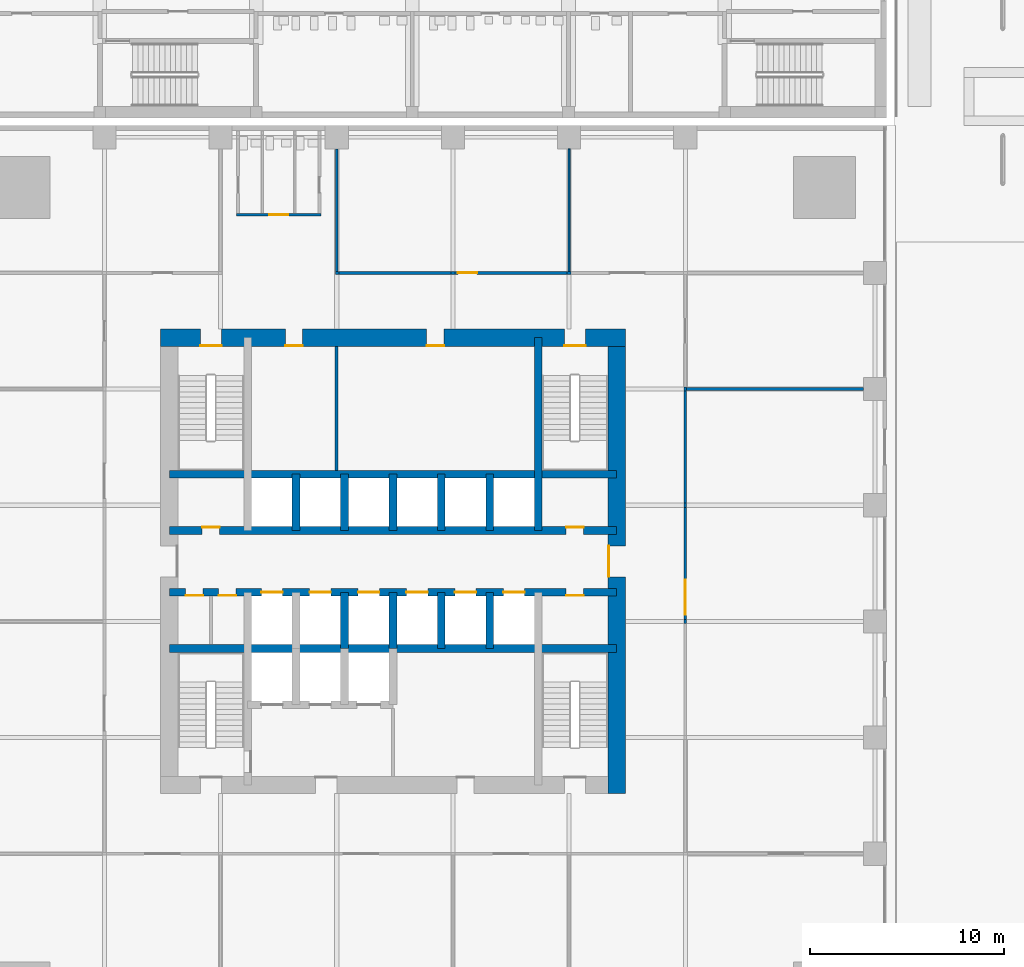
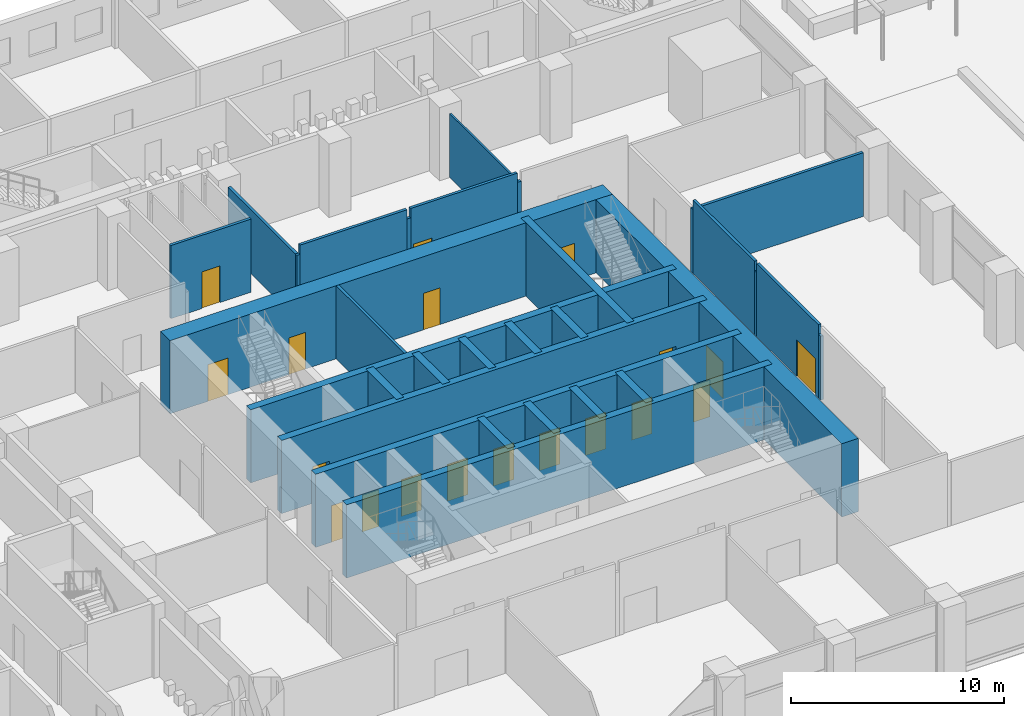
# One storey, part 22 of 34: 31 walls, 19 doors, 19 openings.
"""IFC4 building model written with IfcOpenShell, lengths in metres."""

from ifc_helpers import new_model, si_unit, direction, frame, frame_2d, origin, place, context, subcontext, project, spatial, rectangle, extrude, material, layer, layer_set, type_object, element, fill, save


model = new_model("IFC4")

# Units and contexts
model_context = context("Model", 3, precision=1e-05, world=origin(), true_north=direction((0.0, 1.0)))
body_context = subcontext(model_context, "Body", "Model", "MODEL_VIEW")
ifc_project = project(units=[si_unit("LENGTHUNIT", "METRE"), si_unit("AREAUNIT", "SQUARE_METRE"), si_unit("VOLUMEUNIT", "CUBIC_METRE"), si_unit("PLANEANGLEUNIT", "RADIAN"), si_unit("MASSUNIT", "GRAM", prefix="KILO")], contexts=[model_context])

# Site, building, storey
site_placement = place(None, origin())
site = spatial("IfcSite", under=ifc_project, at=site_placement, CompositionType="ELEMENT")
building_placement = place(site_placement, origin())
building = spatial("IfcBuilding", under=site, at=building_placement, Name="Amberfall Residences", CompositionType="ELEMENT")
storey_placement = place(building_placement, frame((0.0, 0.0, 5.5)))
storey = spatial("IfcBuildingStorey", under=building, at=storey_placement, Name="L01", CompositionType="ELEMENT", Elevation=5.5)

# Wall
ifc_material_1 = material(Name="Concrete C80", Category="concrete")
ifc_layer_1 = layer(ifc_material_1, 0.39990234375)
ifc_layer_set_1 = layer_set([ifc_layer_1], Name="Core wall 400 C80")
wall_type_1 = type_object("IfcWallType", Name="Core wall 400 C80", PredefinedType="SHEAR", material=ifc_layer_set_1)
wall_1_placement = place(storey_placement, frame((62.949951171875, 41.0, 0.0), z_axis=(0.0, 0.0, 1.0), x_axis=(1.0, 0.0, 0.0)))
element("IfcWall", 1, at=wall_1_placement, inside=storey, type_object=wall_type_1, Name="Core wall RW2 L01 H75", PredefinedType="SHEAR", context=body_context, shape_type="SweptSolid", body=[
    extrude(rectangle(XDim=23.10009765625, YDim=0.39990234375, at=frame_2d((11.550048828125, 0.0))), origin(), (0.0, 0.0, 1.0), 4.199951171875),
])

# Wall, openings, doors
wall_2_placement = place(storey_placement, frame((62.949951171875, 43.89990234375, 0.0), z_axis=(0.0, 0.0, 1.0), x_axis=(1.0, 0.0, 0.0)))
wall_2 = element("IfcWall", 2, at=wall_2_placement, inside=storey, type_object=wall_type_1, Name="Core wall RW2 L01 H104", PredefinedType="SHEAR", context=body_context, shape_type="SweptSolid", body=[
    extrude(rectangle(XDim=23.10009765625, YDim=0.39990234375, at=frame_2d((11.550048828125, 0.0))), origin(), (0.0, 0.0, 1.0), 4.199951171875),
])
opening_1_placement = place(wall_2_placement, frame((0.85009765625, 0.0, 0.0)))
opening_1 = element("IfcOpeningElement", 3, at=opening_1_placement, cuts=wall_2, Name="Opening RD1", PredefinedType="OPENING", context=body_context, shape_type="SweptSolid", body=[
    extrude(rectangle(XDim=0.89990234375, YDim=2.10009765625, at=frame_2d((0.449951171875, 1.050048828125))), frame((0.0, 0.2099609375, 0.0), z_axis=(0.0, -1.0, 0.0), x_axis=(1.0, 0.0, 0.0)), (0.0, 0.0, 1.0), 0.419921875),
])
opening_2_placement = place(wall_2_placement, frame((2.550048828125, 0.0, 0.0)))
opening_2 = element("IfcOpeningElement", 4, at=opening_2_placement, cuts=wall_2, Name="Opening RD1", PredefinedType="OPENING", context=body_context, shape_type="SweptSolid", body=[
    extrude(rectangle(XDim=0.89990234375, YDim=2.10009765625, at=frame_2d((0.449951171875, 1.050048828125))), frame((0.0, 0.2099609375, 0.0), z_axis=(0.0, -1.0, 0.0), x_axis=(1.0, 0.0, 0.0)), (0.0, 0.0, 1.0), 0.419921875),
])
opening_3_placement = place(wall_2_placement, frame((20.5, 0.0, 0.0)))
opening_3 = element("IfcOpeningElement", 5, at=opening_3_placement, cuts=wall_2, Name="Opening RD1", PredefinedType="OPENING", context=body_context, shape_type="SweptSolid", body=[
    extrude(rectangle(XDim=0.89990234375, YDim=2.10009765625, at=frame_2d((0.449951171875, 1.050048828125))), frame((0.0, 0.2099609375, 0.0), z_axis=(0.0, -1.0, 0.0), x_axis=(1.0, 0.0, 0.0)), (0.0, 0.0, 1.0), 0.419921875),
])
opening_4_placement = place(wall_2_placement, frame((4.75, 0.0, 0.0)))
opening_4 = element("IfcOpeningElement", 6, at=opening_4_placement, cuts=wall_2, Name="Opening LD1", PredefinedType="OPENING", context=body_context, shape_type="SweptSolid", body=[
    extrude(rectangle(XDim=1.10009765625, YDim=2.10009765625, at=frame_2d((0.550048828125, 1.050048828125))), frame((0.0, 0.2099609375, 0.0), z_axis=(0.0, -1.0, 0.0), x_axis=(1.0, 0.0, 0.0)), (0.0, 0.0, 1.0), 0.419921875),
])
opening_5_placement = place(wall_2_placement, frame((7.25, 0.0, 0.0)))
opening_5 = element("IfcOpeningElement", 7, at=opening_5_placement, cuts=wall_2, Name="Opening LD1", PredefinedType="OPENING", context=body_context, shape_type="SweptSolid", body=[
    extrude(rectangle(XDim=1.10009765625, YDim=2.10009765625, at=frame_2d((0.550048828125, 1.050048828125))), frame((0.0, 0.2099609375, 0.0), z_axis=(0.0, -1.0, 0.0), x_axis=(1.0, 0.0, 0.0)), (0.0, 0.0, 1.0), 0.419921875),
])
opening_6_placement = place(wall_2_placement, frame((9.75, 0.0, 0.0)))
opening_6 = element("IfcOpeningElement", 8, at=opening_6_placement, cuts=wall_2, Name="Opening LD1", PredefinedType="OPENING", context=body_context, shape_type="SweptSolid", body=[
    extrude(rectangle(XDim=1.10009765625, YDim=2.10009765625, at=frame_2d((0.550048828125, 1.050048828125))), frame((0.0, 0.2099609375, 0.0), z_axis=(0.0, -1.0, 0.0), x_axis=(1.0, 0.0, 0.0)), (0.0, 0.0, 1.0), 0.419921875),
])
opening_7_placement = place(wall_2_placement, frame((12.25, 0.0, 0.0)))
opening_7 = element("IfcOpeningElement", 9, at=opening_7_placement, cuts=wall_2, Name="Opening LD1", PredefinedType="OPENING", context=body_context, shape_type="SweptSolid", body=[
    extrude(rectangle(XDim=1.10009765625, YDim=2.10009765625, at=frame_2d((0.550048828125, 1.050048828125))), frame((0.0, 0.2099609375, 0.0), z_axis=(0.0, -1.0, 0.0), x_axis=(1.0, 0.0, 0.0)), (0.0, 0.0, 1.0), 0.419921875),
])
opening_8_placement = place(wall_2_placement, frame((14.75, 0.0, 0.0)))
opening_8 = element("IfcOpeningElement", 10, at=opening_8_placement, cuts=wall_2, Name="Opening LD1", PredefinedType="OPENING", context=body_context, shape_type="SweptSolid", body=[
    extrude(rectangle(XDim=1.10009765625, YDim=2.10009765625, at=frame_2d((0.550048828125, 1.050048828125))), frame((0.0, 0.2099609375, 0.0), z_axis=(0.0, -1.0, 0.0), x_axis=(1.0, 0.0, 0.0)), (0.0, 0.0, 1.0), 0.419921875),
])
opening_9_placement = place(wall_2_placement, frame((17.25, 0.0, 0.0)))
opening_9 = element("IfcOpeningElement", 11, at=opening_9_placement, cuts=wall_2, Name="Opening LD1", PredefinedType="OPENING", context=body_context, shape_type="SweptSolid", body=[
    extrude(rectangle(XDim=1.10009765625, YDim=2.10009765625, at=frame_2d((0.550048828125, 1.050048828125))), frame((0.0, 0.2099609375, 0.0), z_axis=(0.0, -1.0, 0.0), x_axis=(1.0, 0.0, 0.0)), (0.0, 0.0, 1.0), 0.419921875),
])
ifc_material_2 = material(Name="Steel fire door set", Category="steel")
door_type_1 = type_object("IfcDoorType", Name="Lift landing door 1100 x 2100", OperationType="DOUBLE_DOOR_SLIDING", PredefinedType="DOOR", material=ifc_material_2)
door_1_placement = place(opening_4_placement, origin())
door_1 = element("IfcDoor", 12, at=door_1_placement, inside=storey, type_object=door_type_1, Name="Landing door LP1 L01", OperationType="DOUBLE_DOOR_SLIDING", OverallHeight=2.10009765625, OverallWidth=1.10009765625, PredefinedType="DOOR", context=body_context, shape_type="SweptSolid", body=[
    extrude(rectangle(XDim=1.10009765625, YDim=2.10009765625, at=frame_2d((0.550048828125, 1.050048828125))), frame((0.0, 0.02490234375, 0.0), z_axis=(0.0, -1.0, 0.0), x_axis=(1.0, 0.0, 0.0)), (0.0, 0.0, 1.0), 0.050048828125),
])
fill(opening_4, door_1)
door_2_placement = place(opening_5_placement, origin())
door_2 = element("IfcDoor", 13, at=door_2_placement, inside=storey, type_object=door_type_1, Name="Landing door LP2 L01", OperationType="DOUBLE_DOOR_SLIDING", OverallHeight=2.10009765625, OverallWidth=1.10009765625, PredefinedType="DOOR", context=body_context, shape_type="SweptSolid", body=[
    extrude(rectangle(XDim=1.10009765625, YDim=2.10009765625, at=frame_2d((0.550048828125, 1.050048828125))), frame((0.0, 0.02490234375, 0.0), z_axis=(0.0, -1.0, 0.0), x_axis=(1.0, 0.0, 0.0)), (0.0, 0.0, 1.0), 0.050048828125),
])
fill(opening_5, door_2)
door_3_placement = place(opening_6_placement, origin())
door_3 = element("IfcDoor", 14, at=door_3_placement, inside=storey, type_object=door_type_1, Name="Landing door LP3 L01", OperationType="DOUBLE_DOOR_SLIDING", OverallHeight=2.10009765625, OverallWidth=1.10009765625, PredefinedType="DOOR", context=body_context, shape_type="SweptSolid", body=[
    extrude(rectangle(XDim=1.10009765625, YDim=2.10009765625, at=frame_2d((0.550048828125, 1.050048828125))), frame((0.0, 0.02490234375, 0.0), z_axis=(0.0, -1.0, 0.0), x_axis=(1.0, 0.0, 0.0)), (0.0, 0.0, 1.0), 0.050048828125),
])
fill(opening_6, door_3)
door_4_placement = place(opening_7_placement, origin())
door_4 = element("IfcDoor", 15, at=door_4_placement, inside=storey, type_object=door_type_1, Name="Landing door LP4 L01", OperationType="DOUBLE_DOOR_SLIDING", OverallHeight=2.10009765625, OverallWidth=1.10009765625, PredefinedType="DOOR", context=body_context, shape_type="SweptSolid", body=[
    extrude(rectangle(XDim=1.10009765625, YDim=2.10009765625, at=frame_2d((0.550048828125, 1.050048828125))), frame((0.0, 0.02490234375, 0.0), z_axis=(0.0, -1.0, 0.0), x_axis=(1.0, 0.0, 0.0)), (0.0, 0.0, 1.0), 0.050048828125),
])
fill(opening_7, door_4)
door_5_placement = place(opening_8_placement, origin())
door_5 = element("IfcDoor", 16, at=door_5_placement, inside=storey, type_object=door_type_1, Name="Landing door LP5 L01", OperationType="DOUBLE_DOOR_SLIDING", OverallHeight=2.10009765625, OverallWidth=1.10009765625, PredefinedType="DOOR", context=body_context, shape_type="SweptSolid", body=[
    extrude(rectangle(XDim=1.10009765625, YDim=2.10009765625, at=frame_2d((0.550048828125, 1.050048828125))), frame((0.0, 0.02490234375, 0.0), z_axis=(0.0, -1.0, 0.0), x_axis=(1.0, 0.0, 0.0)), (0.0, 0.0, 1.0), 0.050048828125),
])
fill(opening_8, door_5)
door_6_placement = place(opening_9_placement, origin())
door_6 = element("IfcDoor", 17, at=door_6_placement, inside=storey, type_object=door_type_1, Name="Landing door LP6 L01", OperationType="DOUBLE_DOOR_SLIDING", OverallHeight=2.10009765625, OverallWidth=1.10009765625, PredefinedType="DOOR", context=body_context, shape_type="SweptSolid", body=[
    extrude(rectangle(XDim=1.10009765625, YDim=2.10009765625, at=frame_2d((0.550048828125, 1.050048828125))), frame((0.0, 0.02490234375, 0.0), z_axis=(0.0, -1.0, 0.0), x_axis=(1.0, 0.0, 0.0)), (0.0, 0.0, 1.0), 0.050048828125),
])
fill(opening_9, door_6)
door_type_2 = type_object("IfcDoorType", Name="Service room door 900 x 2100", OperationType="SINGLE_SWING_LEFT", PredefinedType="DOOR", material=ifc_material_2)
door_7_placement = place(opening_1_placement, origin())
door_7 = element("IfcDoor", 18, at=door_7_placement, inside=storey, type_object=door_type_2, Name="RD1 L01", OperationType="SINGLE_SWING_LEFT", OverallHeight=2.10009765625, OverallWidth=0.89990234375, PredefinedType="DOOR", context=body_context, shape_type="SweptSolid", body=[
    extrude(rectangle(XDim=0.89990234375, YDim=2.10009765625, at=frame_2d((0.449951171875, 1.050048828125))), frame((0.0, -0.1376953125, 0.0), z_axis=(0.0, -1.0, 0.0), x_axis=(1.0, 0.0, 0.0)), (0.0, 0.0, 1.0), 0.050048828125),
])
fill(opening_1, door_7)
door_8_placement = place(opening_2_placement, origin())
door_8 = element("IfcDoor", 19, at=door_8_placement, inside=storey, type_object=door_type_2, Name="RD1 L01", OperationType="SINGLE_SWING_RIGHT", OverallHeight=2.10009765625, OverallWidth=0.89990234375, PredefinedType="DOOR", context=body_context, shape_type="SweptSolid", body=[
    extrude(rectangle(XDim=0.89990234375, YDim=2.10009765625, at=frame_2d((0.449951171875, 1.050048828125))), frame((0.0, -0.1376953125, 0.0), z_axis=(0.0, -1.0, 0.0), x_axis=(1.0, 0.0, 0.0)), (0.0, 0.0, 1.0), 0.050048828125),
])
fill(opening_2, door_8)
door_9_placement = place(opening_3_placement, origin())
door_9 = element("IfcDoor", 20, at=door_9_placement, inside=storey, type_object=door_type_2, Name="RD1 L01", OperationType="SINGLE_SWING_LEFT", OverallHeight=2.10009765625, OverallWidth=0.89990234375, PredefinedType="DOOR", context=body_context, shape_type="SweptSolid", body=[
    extrude(rectangle(XDim=0.89990234375, YDim=2.10009765625, at=frame_2d((0.449951171875, 1.050048828125))), frame((0.0, -0.1376953125, 0.0), z_axis=(0.0, -1.0, 0.0), x_axis=(1.0, 0.0, 0.0)), (0.0, 0.0, 1.0), 0.050048828125),
])
fill(opening_3, door_9)

wall_3_placement = place(storey_placement, frame((62.949951171875, 47.10009765625, 0.0), z_axis=(0.0, 0.0, 1.0), x_axis=(1.0, 0.0, 0.0)))
wall_3 = element("IfcWall", 21, at=wall_3_placement, inside=storey, type_object=wall_type_1, Name="Core wall RW2 L01 H136", PredefinedType="SHEAR", context=body_context, shape_type="SweptSolid", body=[
    extrude(rectangle(XDim=23.10009765625, YDim=0.39990234375, at=frame_2d((11.550048828125, 0.0))), origin(), (0.0, 0.0, 1.0), 4.199951171875),
])
opening_10_placement = place(wall_3_placement, frame((1.699951171875, 0.0, 0.0)))
opening_10 = element("IfcOpeningElement", 22, at=opening_10_placement, cuts=wall_3, Name="Opening RD1", PredefinedType="OPENING", context=body_context, shape_type="SweptSolid", body=[
    extrude(rectangle(XDim=0.89990234375, YDim=2.10009765625, at=frame_2d((0.449951171875, 1.050048828125))), frame((0.0, 0.2099609375, 0.0), z_axis=(0.0, -1.0, 0.0), x_axis=(1.0, 0.0, 0.0)), (0.0, 0.0, 1.0), 0.419921875),
])
opening_11_placement = place(wall_3_placement, frame((20.5, 0.0, 0.0)))
opening_11 = element("IfcOpeningElement", 23, at=opening_11_placement, cuts=wall_3, Name="Opening RD1", PredefinedType="OPENING", context=body_context, shape_type="SweptSolid", body=[
    extrude(rectangle(XDim=0.89990234375, YDim=2.10009765625, at=frame_2d((0.449951171875, 1.050048828125))), frame((0.0, 0.2099609375, 0.0), z_axis=(0.0, -1.0, 0.0), x_axis=(1.0, 0.0, 0.0)), (0.0, 0.0, 1.0), 0.419921875),
])
door_10_placement = place(opening_10_placement, origin())
door_10 = element("IfcDoor", 24, at=door_10_placement, inside=storey, type_object=door_type_2, Name="RD1 L01", OperationType="SINGLE_SWING_LEFT", OverallHeight=2.10009765625, OverallWidth=0.89990234375, PredefinedType="DOOR", context=body_context, shape_type="SweptSolid", body=[
    extrude(rectangle(XDim=0.89990234375, YDim=2.10009765625, at=frame_2d((0.449951171875, 1.050048828125))), frame((0.0, 0.1875, 0.0), z_axis=(0.0, -1.0, 0.0), x_axis=(1.0, 0.0, 0.0)), (0.0, 0.0, 1.0), 0.050048828125),
])
fill(opening_10, door_10)
door_11_placement = place(opening_11_placement, origin())
door_11 = element("IfcDoor", 25, at=door_11_placement, inside=storey, type_object=door_type_2, Name="RD1 L01", OperationType="SINGLE_SWING_LEFT", OverallHeight=2.10009765625, OverallWidth=0.89990234375, PredefinedType="DOOR", context=body_context, shape_type="SweptSolid", body=[
    extrude(rectangle(XDim=0.89990234375, YDim=2.10009765625, at=frame_2d((0.449951171875, 1.050048828125))), frame((0.0, 0.1875, 0.0), z_axis=(0.0, -1.0, 0.0), x_axis=(1.0, 0.0, 0.0)), (0.0, 0.0, 1.0), 0.050048828125),
])
fill(opening_11, door_11)

# Walls
wall_4_placement = place(storey_placement, frame((62.949951171875, 50.0, 0.0), z_axis=(0.0, 0.0, 1.0), x_axis=(1.0, 0.0, 0.0)))
element("IfcWall", 26, at=wall_4_placement, inside=storey, type_object=wall_type_1, Name="Core wall RW2 L01 H165", PredefinedType="SHEAR", context=body_context, shape_type="SweptSolid", body=[
    extrude(rectangle(XDim=23.10009765625, YDim=0.39990234375, at=frame_2d((11.550048828125, 0.0))), origin(), (0.0, 0.0, 1.0), 4.199951171875),
])
wall_5_placement = place(storey_placement, frame((82.0, 47.10009765625, 0.0), z_axis=(0.0, 0.0, 1.0), x_axis=(0.0, 1.0, 0.0)))
element("IfcWall", 27, at=wall_5_placement, inside=storey, type_object=wall_type_1, Name="Core wall RW2 L01 V195N", PredefinedType="SHEAR", context=body_context, shape_type="SweptSolid", body=[
    extrude(rectangle(XDim=9.949951171875, YDim=0.39990234375, at=frame_2d((4.97509765625, 0.0))), origin(), (0.0, 0.0, 1.0), 4.199951171875),
])
for number, where, z_axis, x_axis, name in (
    (28, (69.5, 47.10009765625, 0.0), (0.0, 0.0, 1.0), (0.0, 1.0, 0.0), "Core wall RW2 L01 HPD1"),
    (29, (72.0, 41.0, 0.0), (0.0, 0.0, 1.0), (0.0, 1.0, 0.0), "Core wall RW2 L01 LPD2"),
    (30, (72.0, 47.10009765625, 0.0), (0.0, 0.0, 1.0), (0.0, 1.0, 0.0), "Core wall RW2 L01 HPD2"),
    (31, (74.5, 41.0, 0.0), (0.0, 0.0, 1.0), (0.0, 1.0, 0.0), "Core wall RW2 L01 LPD3"),
    (32, (74.5, 47.10009765625, 0.0), (0.0, 0.0, 1.0), (0.0, 1.0, 0.0), "Core wall RW2 L01 HPD3"),
    (33, (77.0, 41.0, 0.0), (0.0, 0.0, 1.0), (0.0, 1.0, 0.0), "Core wall RW2 L01 LPD4"),
    (34, (77.0, 47.10009765625, 0.0), (0.0, 0.0, 1.0), (0.0, 1.0, 0.0), "Core wall RW2 L01 HPD4"),
    (35, (79.5, 41.0, 0.0), (0.0, 0.0, 1.0), (0.0, 1.0, 0.0), "Core wall RW2 L01 LPD5"),
    (36, (79.5, 47.10009765625, 0.0), (0.0, 0.0, 1.0), (0.0, 1.0, 0.0), "Core wall RW2 L01 HPD5"),
):
    element("IfcWall", number, at=place(storey_placement, frame(where, z_axis=z_axis, x_axis=x_axis)), inside=storey, type_object=wall_type_1, Name=name, PredefinedType="SHEAR", context=body_context, shape_type="SweptSolid", body=[
        extrude(rectangle(XDim=2.89990234375, YDim=0.39990234375, at=frame_2d((1.449951171875, 0.0))), origin(), (0.0, 0.0, 1.0), 4.199951171875),
    ])

# Wall, openings, doors
ifc_layer_2 = layer(ifc_material_1, 0.89990234375)
ifc_layer_set_2 = layer_set([ifc_layer_2], Name="Core wall 900 C80")
wall_type_2 = type_object("IfcWallType", Name="Core wall 900 C80", PredefinedType="SHEAR", material=ifc_layer_set_2)
wall_6_placement = place(storey_placement, frame((62.5, 57.050048828125, 0.0), z_axis=(0.0, 0.0, 1.0), x_axis=(1.0, 0.0, 0.0)))
wall_6 = element("IfcWall", 37, at=wall_6_placement, inside=storey, type_object=wall_type_2, Name="Core wall RW1 L01 ON", PredefinedType="SHEAR", context=body_context, shape_type="SweptSolid", body=[
    extrude(rectangle(XDim=24.0, YDim=0.89990234375, at=frame_2d((12.0, 0.0))), origin(), (0.0, 0.0, 1.0), 4.199951171875),
])
opening_12_placement = place(wall_6_placement, frame((20.85009765625, 0.0, 0.0)))
opening_12 = element("IfcOpeningElement", 38, at=opening_12_placement, cuts=wall_6, Name="Opening SD1", PredefinedType="OPENING", context=body_context, shape_type="SweptSolid", body=[
    extrude(rectangle(XDim=1.10009765625, YDim=2.10009765625, at=frame_2d((0.550048828125, 1.050048828125))), frame((0.0, 0.4599609375, 0.0), z_axis=(0.0, -1.0, 0.0), x_axis=(1.0, 0.0, 0.0)), (0.0, 0.0, 1.0), 0.919921875),
])
opening_13_placement = place(wall_6_placement, frame((2.050048828125, 0.0, 0.0)))
opening_13 = element("IfcOpeningElement", 39, at=opening_13_placement, cuts=wall_6, Name="Opening SD1", PredefinedType="OPENING", context=body_context, shape_type="SweptSolid", body=[
    extrude(rectangle(XDim=1.10009765625, YDim=2.10009765625, at=frame_2d((0.550048828125, 1.050048828125))), frame((0.0, 0.4599609375, 0.0), z_axis=(0.0, -1.0, 0.0), x_axis=(1.0, 0.0, 0.0)), (0.0, 0.0, 1.0), 0.919921875),
])
opening_14_placement = place(wall_6_placement, frame((6.43994140625, 0.0, 0.0)))
opening_14 = element("IfcOpeningElement", 40, at=opening_14_placement, cuts=wall_6, Name="Opening RD1", PredefinedType="OPENING", context=body_context, shape_type="SweptSolid", body=[
    extrude(rectangle(XDim=0.89990234375, YDim=2.10009765625, at=frame_2d((0.449951171875, 1.050048828125))), frame((0.0, 0.4599609375, 0.0), z_axis=(0.0, -1.0, 0.0), x_axis=(1.0, 0.0, 0.0)), (0.0, 0.0, 1.0), 0.919921875),
])
opening_15_placement = place(wall_6_placement, frame((13.739990234375, 0.0, 0.0)))
opening_15 = element("IfcOpeningElement", 41, at=opening_15_placement, cuts=wall_6, Name="Opening RD1", PredefinedType="OPENING", context=body_context, shape_type="SweptSolid", body=[
    extrude(rectangle(XDim=0.89990234375, YDim=2.10009765625, at=frame_2d((0.449951171875, 1.050048828125))), frame((0.0, 0.4599609375, 0.0), z_axis=(0.0, -1.0, 0.0), x_axis=(1.0, 0.0, 0.0)), (0.0, 0.0, 1.0), 0.919921875),
])
door_12_placement = place(opening_14_placement, origin())
door_12 = element("IfcDoor", 42, at=door_12_placement, inside=storey, type_object=door_type_2, Name="RD1 L01", OperationType="SINGLE_SWING_RIGHT", OverallHeight=2.10009765625, OverallWidth=0.89990234375, PredefinedType="DOOR", context=body_context, shape_type="SweptSolid", body=[
    extrude(rectangle(XDim=0.89990234375, YDim=2.10009765625, at=frame_2d((0.449951171875, 1.050048828125))), frame((0.0, -0.3876953125, 0.0), z_axis=(0.0, -1.0, 0.0), x_axis=(1.0, 0.0, 0.0)), (0.0, 0.0, 1.0), 0.050048828125),
])
fill(opening_14, door_12)
door_13_placement = place(opening_15_placement, origin())
door_13 = element("IfcDoor", 43, at=door_13_placement, inside=storey, type_object=door_type_2, Name="RD1 L01", OperationType="SINGLE_SWING_RIGHT", OverallHeight=2.10009765625, OverallWidth=0.89990234375, PredefinedType="DOOR", context=body_context, shape_type="SweptSolid", body=[
    extrude(rectangle(XDim=0.89990234375, YDim=2.10009765625, at=frame_2d((0.449951171875, 1.050048828125))), frame((0.0, -0.3876953125, 0.0), z_axis=(0.0, -1.0, 0.0), x_axis=(1.0, 0.0, 0.0)), (0.0, 0.0, 1.0), 0.050048828125),
])
fill(opening_15, door_13)
door_type_3 = type_object("IfcDoorType", Name="Stair door 1100 x 2100", OperationType="SINGLE_SWING_LEFT", PredefinedType="DOOR", material=ifc_material_2)
door_14_placement = place(opening_12_placement, origin())
door_14 = element("IfcDoor", 44, at=door_14_placement, inside=storey, type_object=door_type_3, Name="SD1 L01", OperationType="SINGLE_SWING_RIGHT", OverallHeight=2.10009765625, OverallWidth=1.10009765625, PredefinedType="DOOR", context=body_context, shape_type="SweptSolid", body=[
    extrude(rectangle(XDim=1.10009765625, YDim=2.10009765625, at=frame_2d((0.550048828125, 1.050048828125))), frame((0.0, -0.3876953125, 0.0), z_axis=(0.0, -1.0, 0.0), x_axis=(1.0, 0.0, 0.0)), (0.0, 0.0, 1.0), 0.050048828125),
])
fill(opening_12, door_14)
door_15_placement = place(opening_13_placement, origin())
door_15 = element("IfcDoor", 45, at=door_15_placement, inside=storey, type_object=door_type_3, Name="SD1 L01", OperationType="SINGLE_SWING_LEFT", OverallHeight=2.10009765625, OverallWidth=1.10009765625, PredefinedType="DOOR", context=body_context, shape_type="SweptSolid", body=[
    extrude(rectangle(XDim=1.10009765625, YDim=2.10009765625, at=frame_2d((0.550048828125, 1.050048828125))), frame((0.0, -0.3876953125, 0.0), z_axis=(0.0, -1.0, 0.0), x_axis=(1.0, 0.0, 0.0)), (0.0, 0.0, 1.0), 0.050048828125),
])
fill(opening_13, door_15)

# Wall, opening, door
wall_7_placement = place(storey_placement, frame((86.050048828125, 33.5, 0.0), z_axis=(0.0, 0.0, 1.0), x_axis=(0.0, 1.0, 0.0)))
wall_7 = element("IfcWall", 46, at=wall_7_placement, inside=storey, type_object=wall_type_2, Name="Core wall RW1 L01 OE", PredefinedType="SHEAR", context=body_context, shape_type="SweptSolid", body=[
    extrude(rectangle(XDim=24.0, YDim=0.89990234375, at=frame_2d((12.0, 0.0))), origin(), (0.0, 0.0, 1.0), 4.199951171875),
])
opening_16_placement = place(wall_7_placement, frame((11.199951171875, 0.0, 0.0)))
opening_16 = element("IfcOpeningElement", 47, at=opening_16_placement, cuts=wall_7, Name="Opening LB1", PredefinedType="OPENING", context=body_context, shape_type="SweptSolid", body=[
    extrude(rectangle(XDim=1.60009765625, YDim=2.10009765625, at=frame_2d((0.800048828125, 1.050048828125))), frame((0.0, 0.4599609375, 0.0), z_axis=(0.0, -1.0, 0.0), x_axis=(1.0, 0.0, 0.0)), (0.0, 0.0, 1.0), 0.919921875),
])
door_type_4 = type_object("IfcDoorType", Name="Lift lobby double door 1600 x 2100", OperationType="DOUBLE_DOOR_SINGLE_SWING", PredefinedType="DOOR", material=ifc_material_2)
door_16_placement = place(opening_16_placement, origin())
door_16 = element("IfcDoor", 48, at=door_16_placement, inside=storey, type_object=door_type_4, Name="LB1 L01", OperationType="DOUBLE_DOOR_SINGLE_SWING", OverallHeight=2.10009765625, OverallWidth=1.60009765625, PredefinedType="DOOR", context=body_context, shape_type="SweptSolid", body=[
    extrude(rectangle(XDim=1.60009765625, YDim=2.10009765625, at=frame_2d((0.800048828125, 1.050048828125))), frame((0.0, 0.4375, 0.0), z_axis=(0.0, -1.0, 0.0), x_axis=(1.0, 0.0, 0.0)), (0.0, 0.0, 1.0), 0.050048828125),
])
fill(opening_16, door_16)

# Walls
ifc_material_3 = material(Name="Gypsum board on steel studs", Category="steel")
ifc_layer_3 = layer(ifc_material_3, 0.10009765625)
ifc_layer_set_3 = layer_set([ifc_layer_3], Name="Partition 100")
wall_type_3 = type_object("IfcWallType", Name="Partition 100", PredefinedType="PARTITIONING", material=ifc_layer_set_3)
wall_8_placement = place(storey_placement, frame((83.60009765625, 60.47509765625, 0.0), z_axis=(0.0, 0.0, 1.0), x_axis=(0.0, 1.0, 0.0)))
element("IfcWall", 49, at=wall_8_placement, inside=storey, type_object=wall_type_3, Name="Partition 100 L01 012", PredefinedType="PARTITIONING", context=body_context, shape_type="SweptSolid", body=[
    extrude(rectangle(XDim=6.324951171875, YDim=0.10009765625, at=frame_2d((3.16259765625, 0.0))), origin(), (0.0, 0.0, 1.0), 3.6669921875),
])
ifc_material_4 = material(Name="Fire-rated gypsum board on steel studs", Category="steel")
ifc_layer_4 = layer(ifc_material_4, 0.14990234375)
ifc_layer_set_4 = layer_set([ifc_layer_4], Name="Partition 150 fire-rated")
wall_type_4 = type_object("IfcWallType", Name="Partition 150 fire-rated", PredefinedType="PARTITIONING", material=ifc_layer_set_4)
wall_9_placement = place(storey_placement, frame((89.675048828125, 54.39990234375, 0.0), z_axis=(0.0, 0.0, 1.0), x_axis=(1.0, 0.0, 0.0)))
element("IfcWall", 50, at=wall_9_placement, inside=storey, type_object=wall_type_4, Name="Partition 150 fire-rated L01 014", PredefinedType="PARTITIONING", context=body_context, shape_type="SweptSolid", body=[
    extrude(rectangle(XDim=9.125, YDim=0.14990234375, at=frame_2d((4.5625, 0.0))), origin(), (0.0, 0.0, 1.0), 3.659912109375),
])
wall_10_placement = place(storey_placement, frame((71.52490234375, 60.39990234375, 0.0), z_axis=(0.0, 0.0, 1.0), x_axis=(1.0, 0.0, 0.0)))
element("IfcWall", 51, at=wall_10_placement, inside=storey, type_object=wall_type_4, Name="Partition 150 fire-rated L01 019", PredefinedType="PARTITIONING", context=body_context, shape_type="SweptSolid", body=[
    extrude(rectangle(XDim=0.1796875, YDim=0.14990234375, at=frame_2d((0.08984375, 0.0))), origin(), (0.0, 0.0, 1.0), 3.6669921875),
])
wall_11_placement = place(storey_placement, frame((71.70458984375, 60.39990234375, 0.0), z_axis=(0.0, 0.0, 1.0), x_axis=(1.0, 0.0, 0.0)))
element("IfcWall", 52, at=wall_11_placement, inside=storey, type_object=wall_type_4, Name="Partition 150 fire-rated L01 020", PredefinedType="PARTITIONING", context=body_context, shape_type="SweptSolid", body=[
    extrude(rectangle(XDim=5.790771484375, YDim=0.14990234375, at=frame_2d((2.8955078125, 0.0))), origin(), (0.0, 0.0, 1.0), 4.199951171875),
])
wall_12_placement = place(storey_placement, frame((77.495361328125, 60.39990234375, 0.0), z_axis=(0.0, 0.0, 1.0), x_axis=(1.0, 0.0, 0.0)))
element("IfcWall", 53, at=wall_12_placement, inside=storey, type_object=wall_type_4, Name="Partition 150 fire-rated L01 021", PredefinedType="PARTITIONING", context=body_context, shape_type="SweptSolid", body=[
    extrude(rectangle(XDim=0.209228515625, YDim=0.14990234375, at=frame_2d((0.1044921875, 0.0))), origin(), (0.0, 0.0, 1.0), 3.6669921875),
])

# Wall, opening, door
wall_13_placement = place(storey_placement, frame((77.70458984375, 60.39990234375, 0.0), z_axis=(0.0, 0.0, 1.0), x_axis=(1.0, 0.0, 0.0)))
wall_13 = element("IfcWall", 54, at=wall_13_placement, inside=storey, type_object=wall_type_4, Name="Partition 150 fire-rated L01 022", PredefinedType="PARTITIONING", context=body_context, shape_type="SweptSolid", body=[
    extrude(rectangle(XDim=5.790771484375, YDim=0.14990234375, at=frame_2d((2.8955078125, 0.0))), origin(), (0.0, 0.0, 1.0), 4.199951171875),
])
opening_17_placement = place(wall_13_placement, frame((0.145263671875, 0.0, 0.0)))
opening_17 = element("IfcOpeningElement", 55, at=opening_17_placement, cuts=wall_13, Name="Opening D2", PredefinedType="OPENING", context=body_context, shape_type="SweptSolid", body=[
    extrude(rectangle(XDim=1.0, YDim=2.10009765625, at=frame_2d((0.5, 1.050048828125))), frame((0.0, 0.0849609375, 0.0), z_axis=(0.0, -1.0, 0.0), x_axis=(1.0, 0.0, 0.0)), (0.0, 0.0, 1.0), 0.169921875),
])
ifc_material_5 = material(Name="Steel fire door leaf", Category="steel")
door_type_5 = type_object("IfcDoorType", Name="Fire door 1000x2100 FD30S", OperationType="SINGLE_SWING_LEFT", PredefinedType="DOOR", material=ifc_material_5)
door_17_placement = place(opening_17_placement, origin())
door_17 = element("IfcDoor", 56, at=door_17_placement, inside=storey, type_object=door_type_5, Name="Door Catering store", OperationType="SINGLE_SWING_LEFT", OverallHeight=2.10009765625, OverallWidth=1.0, PredefinedType="DOOR", context=body_context, shape_type="SweptSolid", body=[
    extrude(rectangle(XDim=1.0, YDim=2.10009765625, at=frame_2d((0.5, 1.050048828125))), frame((0.0, 0.02490234375, 0.0), z_axis=(0.0, -1.0, 0.0), x_axis=(1.0, 0.0, 0.0)), (0.0, 0.0, 1.0), 0.050048828125),
])
fill(opening_17, door_17)

# Wall
wall_14_placement = place(storey_placement, frame((83.495361328125, 60.39990234375, 0.0), z_axis=(0.0, 0.0, 1.0), x_axis=(1.0, 0.0, 0.0)))
element("IfcWall", 57, at=wall_14_placement, inside=storey, type_object=wall_type_4, Name="Partition 150 fire-rated L01 023", PredefinedType="PARTITIONING", context=body_context, shape_type="SweptSolid", body=[
    extrude(rectangle(XDim=0.209228515625, YDim=0.14990234375, at=frame_2d((0.1044921875, 0.0))), origin(), (0.0, 0.0, 1.0), 3.6669921875),
])

# Wall, opening, door
wall_15_placement = place(storey_placement, frame((66.425048828125, 63.39990234375, 0.0), z_axis=(0.0, 0.0, 1.0), x_axis=(1.0, 0.0, 0.0)))
wall_15 = element("IfcWall", 58, at=wall_15_placement, inside=storey, type_object=wall_type_4, Name="Partition 150 fire-rated L01 027", PredefinedType="PARTITIONING", context=body_context, shape_type="SweptSolid", body=[
    extrude(rectangle(XDim=4.349853515625, YDim=0.14990234375, at=frame_2d((2.1748046875, 0.0))), origin(), (0.0, 0.0, 1.0), 4.199951171875),
])
opening_18_placement = place(wall_15_placement, frame((1.675048828125, 0.0, 0.0)))
opening_18 = element("IfcOpeningElement", 59, at=opening_18_placement, cuts=wall_15, Name="Opening D4", PredefinedType="OPENING", context=body_context, shape_type="SweptSolid", body=[
    extrude(rectangle(XDim=1.0, YDim=2.10009765625, at=frame_2d((0.5, 1.050048828125))), frame((0.0, 0.0849609375, 0.0), z_axis=(0.0, -1.0, 0.0), x_axis=(1.0, 0.0, 0.0)), (0.0, 0.0, 1.0), 0.169921875),
])
ifc_material_6 = material(Name="Timber veneer door leaf", Category="wood")
door_type_6 = type_object("IfcDoorType", Name="Accessible door 1000x2100", OperationType="SINGLE_SWING_LEFT", PredefinedType="DOOR", material=ifc_material_6)
door_18_placement = place(opening_18_placement, origin())
door_18 = element("IfcDoor", 60, at=door_18_placement, inside=storey, type_object=door_type_6, Name="Door Accessible WC L01", OperationType="SINGLE_SWING_LEFT", OverallHeight=2.10009765625, OverallWidth=1.0, PredefinedType="DOOR", context=body_context, shape_type="SweptSolid", body=[
    extrude(rectangle(XDim=1.0, YDim=2.10009765625, at=frame_2d((0.5, 1.050048828125))), frame((0.0, 0.02490234375, 0.0), z_axis=(0.0, -1.0, 0.0), x_axis=(1.0, 0.0, 0.0)), (0.0, 0.0, 1.0), 0.050048828125),
])
fill(opening_18, door_18)

# Walls
wall_16_placement = place(storey_placement, frame((71.60009765625, 60.47509765625, 0.0), z_axis=(0.0, 0.0, 1.0), x_axis=(0.0, 1.0, 0.0)))
element("IfcWall", 61, at=wall_16_placement, inside=storey, type_object=wall_type_4, Name="Partition 150 fire-rated L01 044", PredefinedType="PARTITIONING", context=body_context, shape_type="SweptSolid", body=[
    extrude(rectangle(XDim=6.324951171875, YDim=0.14990234375, at=frame_2d((3.16259765625, 0.0))), origin(), (0.0, 0.0, 1.0), 3.6669921875),
])
wall_17_placement = place(storey_placement, frame((89.60009765625, 42.294677734375, 0.0), z_axis=(0.0, 0.0, 1.0), x_axis=(0.0, 1.0, 0.0)))
element("IfcWall", 62, at=wall_17_placement, inside=storey, type_object=wall_type_4, Name="Partition 150 fire-rated L01 048", PredefinedType="PARTITIONING", context=body_context, shape_type="SweptSolid", body=[
    extrude(rectangle(XDim=0.210693359375, YDim=0.14990234375, at=frame_2d((0.10546875, 0.0))), origin(), (0.0, 0.0, 1.0), 3.659912109375),
])

# Wall, opening, door
wall_18_placement = place(storey_placement, frame((89.60009765625, 42.50537109375, 0.0), z_axis=(0.0, 0.0, 1.0), x_axis=(0.0, 1.0, 0.0)))
wall_18 = element("IfcWall", 63, at=wall_18_placement, inside=storey, type_object=wall_type_4, Name="Partition 150 fire-rated L01 049", PredefinedType="PARTITIONING", context=body_context, shape_type="SweptSolid", body=[
    extrude(rectangle(XDim=5.789306640625, YDim=0.14990234375, at=frame_2d((2.89453125, 0.0))), origin(), (0.0, 0.0, 1.0), 4.199951171875),
])
opening_19_placement = place(wall_18_placement, frame((0.24462890625, 0.0, 0.0)))
opening_19 = element("IfcOpeningElement", 64, at=opening_19_placement, cuts=wall_18, Name="Opening D5", PredefinedType="OPENING", context=body_context, shape_type="SweptSolid", body=[
    extrude(rectangle(XDim=1.800048828125, YDim=2.10009765625, at=frame_2d((0.89990234375, 1.050048828125))), frame((0.0, 0.0849609375, 0.0), z_axis=(0.0, -1.0, 0.0), x_axis=(1.0, 0.0, 0.0)), (0.0, 0.0, 1.0), 0.169921875),
])
door_type_7 = type_object("IfcDoorType", Name="Double door 1800x2100", OperationType="DOUBLE_DOOR_SINGLE_SWING", PredefinedType="DOOR", material=ifc_material_6)
door_19_placement = place(opening_19_placement, origin())
door_19 = element("IfcDoor", 65, at=door_19_placement, inside=storey, type_object=door_type_7, Name="Door Pool hall", OperationType="DOUBLE_DOOR_SINGLE_SWING", OverallHeight=2.10009765625, OverallWidth=1.800048828125, PredefinedType="DOOR", context=body_context, shape_type="SweptSolid", body=[
    extrude(rectangle(XDim=1.800048828125, YDim=2.10009765625, at=frame_2d((0.89990234375, 1.050048828125))), frame((0.0, 0.02490234375, 0.0), z_axis=(0.0, -1.0, 0.0), x_axis=(1.0, 0.0, 0.0)), (0.0, 0.0, 1.0), 0.050048828125),
])
fill(opening_19, door_19)

# Walls
wall_19_placement = place(storey_placement, frame((89.60009765625, 48.294677734375, 0.0), z_axis=(0.0, 0.0, 1.0), x_axis=(0.0, 1.0, 0.0)))
element("IfcWall", 66, at=wall_19_placement, inside=storey, type_object=wall_type_4, Name="Partition 150 fire-rated L01 050", PredefinedType="PARTITIONING", context=body_context, shape_type="SweptSolid", body=[
    extrude(rectangle(XDim=0.210693359375, YDim=0.14990234375, at=frame_2d((0.10546875, 0.0))), origin(), (0.0, 0.0, 1.0), 3.659912109375),
])
wall_20_placement = place(storey_placement, frame((89.60009765625, 48.50537109375, 0.0), z_axis=(0.0, 0.0, 1.0), x_axis=(0.0, 1.0, 0.0)))
element("IfcWall", 67, at=wall_20_placement, inside=storey, type_object=wall_type_4, Name="Partition 150 fire-rated L01 051", PredefinedType="PARTITIONING", context=body_context, shape_type="SweptSolid", body=[
    extrude(rectangle(XDim=5.789306640625, YDim=0.14990234375, at=frame_2d((2.89453125, 0.0))), origin(), (0.0, 0.0, 1.0), 4.199951171875),
])
wall_21_placement = place(storey_placement, frame((89.60009765625, 54.294677734375, 0.0), z_axis=(0.0, 0.0, 1.0), x_axis=(0.0, 1.0, 0.0)))
element("IfcWall", 68, at=wall_21_placement, inside=storey, type_object=wall_type_4, Name="Partition 150 fire-rated L01 052", PredefinedType="PARTITIONING", context=body_context, shape_type="SweptSolid", body=[
    extrude(rectangle(XDim=0.205810546875, YDim=0.14990234375, at=frame_2d((0.10302734375, 0.0))), origin(), (0.0, 0.0, 1.0), 3.659912109375),
])
ifc_material_7 = material(Name="Concrete blockwork", Category="masonry")
ifc_layer_5 = layer(ifc_material_7, 0.14990234375)
ifc_layer_set_5 = layer_set([ifc_layer_5], Name="Riser wall 150")
wall_type_5 = type_object("IfcWallType", Name="Riser wall 150", PredefinedType="PLUMBINGWALL", material=ifc_layer_set_5)
wall_22_placement = place(storey_placement, frame((71.580078125, 50.199951171875, 0.0), z_axis=(0.0, 0.0, 1.0), x_axis=(0.0, 1.0, 0.0)))
element("IfcWall", 69, at=wall_22_placement, inside=storey, type_object=wall_type_5, Name="L01 core wall N0", PredefinedType="PLUMBINGWALL", context=body_context, shape_type="SweptSolid", body=[
    extrude(rectangle(XDim=6.400146484375, YDim=0.14990234375, at=frame_2d((3.2001953125, 0.0))), origin(), (0.0, 0.0, 1.0), 4.199951171875),
])

save(model, "model.ifc")
